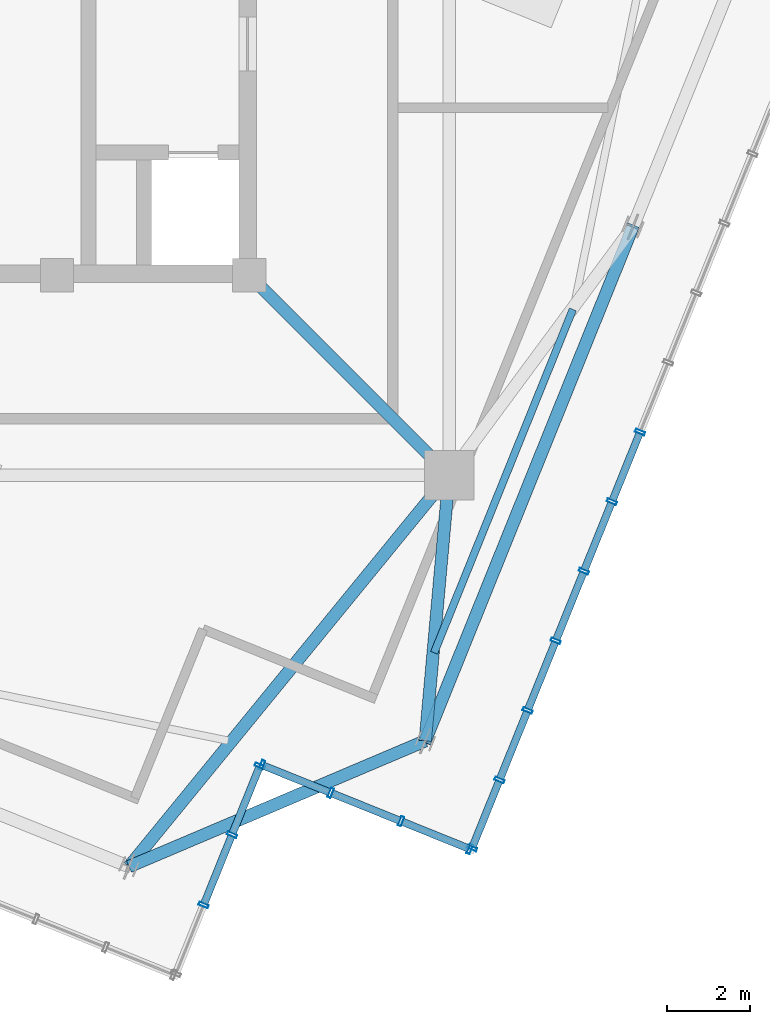
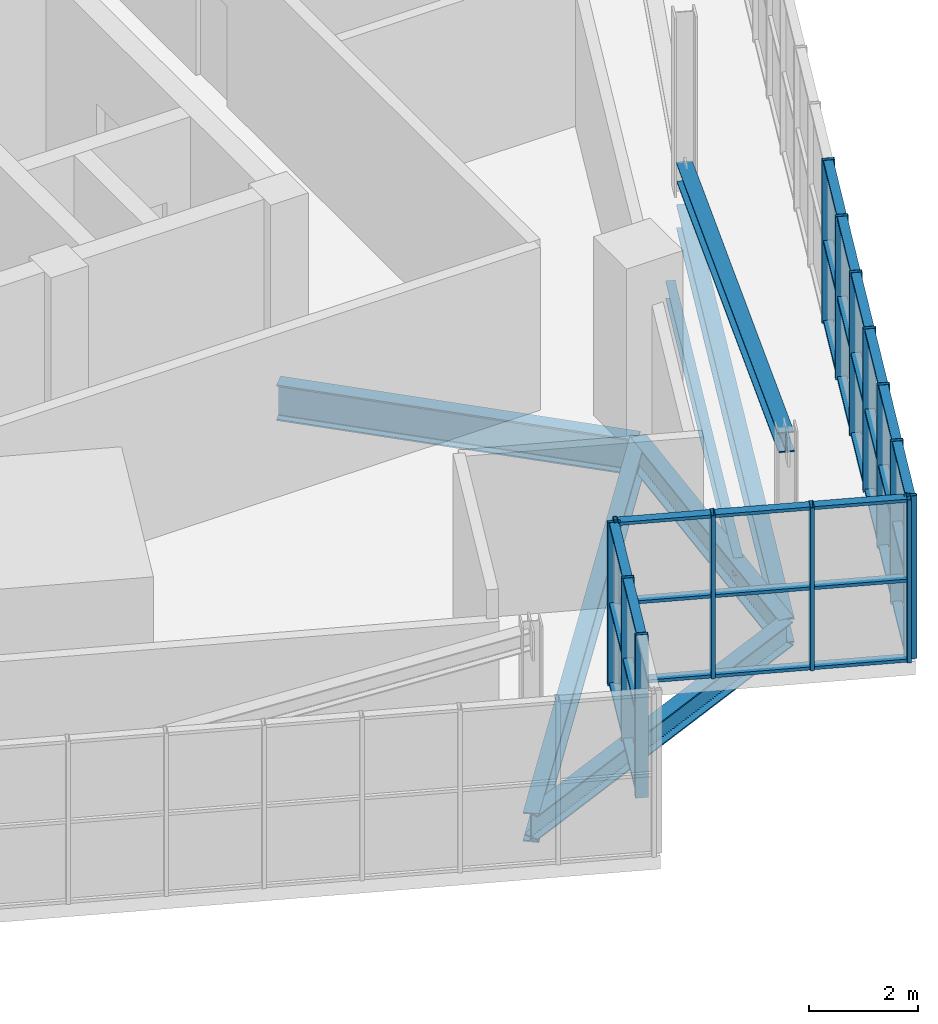
# One storey, part 8 of 26: 48 members, 6 beams, 3 elements without a shape of their own.
"""IFC4 building model written with IfcOpenShell, lengths in metres."""

from ifc_helpers import new_model, si_unit, direction, frame, origin, origin_2d, place, context, subcontext, project, spatial, hollow_rectangle, i_section, extrude, source, transform, mapped, material, layer, layer_set, material_profile, profile_set, type_object, element, aggregate, save


model = new_model("IFC4")

# Units and contexts
model_context = context("Model", 3, precision=1e-05, world=origin(), true_north=direction((0.0, 1.0)))
body_context = subcontext(model_context, "Body", "Model", "MODEL_VIEW")
ifc_project = project(units=[si_unit("LENGTHUNIT", "METRE"), si_unit("AREAUNIT", "SQUARE_METRE"), si_unit("VOLUMEUNIT", "CUBIC_METRE"), si_unit("PLANEANGLEUNIT", "RADIAN"), si_unit("MASSUNIT", "GRAM", prefix="KILO"), si_unit("THERMODYNAMICTEMPERATUREUNIT", "KELVIN")], contexts=[model_context])

# Site, building, storey
site_placement = place(None, origin())
site = spatial("IfcSite", under=ifc_project, at=site_placement, CompositionType="ELEMENT")
building_placement = place(site_placement, origin())
building = spatial("IfcBuilding", under=site, at=building_placement, Name="Kosmvard Interchange Tower", CompositionType="ELEMENT")
storey_placement = place(building_placement, frame((0.0, 0.0, 341.60009765625)))
storey = spatial("IfcBuildingStorey", under=building, at=storey_placement, Name="L84", CompositionType="ELEMENT", Elevation=341.60009765625)

# Beam
ifc_material_1 = material(Name="Steel S355", Category="steel")
ifc_material_profile_1 = material_profile(ifc_material_1, i_section(OverallWidth=0.300048828125, OverallDepth=0.800048828125, WebThickness=0.017578125, FlangeThickness=0.032958984375, FilletRadius=0.027099609375, at=origin_2d()), Name="HEB 800")
ifc_profile_set_1 = profile_set([ifc_material_profile_1], Name="Steel S355")
beam_type_1 = type_object("IfcBeamType", Name="Primary Mega-Frame Girder HEB 800 S355", PredefinedType="BEAM", material=ifc_profile_set_1)
shared_shape_1 = source(origin(), body_context, "Body", "SweptSolid", [
    extrude(i_section(OverallWidth=0.300048828125, OverallDepth=0.800048828125, WebThickness=0.017578125, FlangeThickness=0.032958984375, FilletRadius=0.027099609375, at=origin_2d()), origin(), (0.0, 0.0, 1.0), 6.83203125),
])
beam_1_placement = place(storey_placement, frame((8.25, -8.25, -0.7001953125), z_axis=(0.707106781187, -0.707106781187, 0.0), x_axis=(0.707106781187, 0.707106781187, 0.0)))
element("IfcBeam", 1, at=beam_1_placement, inside=storey, type_object=beam_type_1, Name="L84 Radial Mega-Frame Girder 2", PredefinedType="BEAM", context=body_context, shape_type="MappedRepresentation", body=[
    mapped(shared_shape_1, transform((0.0, 0.0, 0.0), scale=1.0)),
])

# Member
ifc_material_profile_2 = material_profile(ifc_material_1, i_section(OverallWidth=0.300048828125, OverallDepth=0.39990234375, WebThickness=0.013427734375, FlangeThickness=0.02392578125, FilletRadius=0.027099609375, at=origin_2d()), Name="HEB 400")
ifc_profile_set_2 = profile_set([ifc_material_profile_2], Name="Steel S355")
member_type_1 = type_object("IfcMemberType", Name="Lantern Crown Diagrid Brace HEB 400 S355", PredefinedType="BRACE", material=ifc_profile_set_2)
shared_shape_2 = source(origin(), body_context, "Body", "SweptSolid", [
    extrude(i_section(OverallWidth=0.300048828125, OverallDepth=0.39990234375, WebThickness=0.013427734375, FlangeThickness=0.02392578125, FilletRadius=0.027099609375, at=origin_2d()), origin(), (0.0, 0.0, 1.0), 13.78369140625),
])
member_1_placement = place(storey_placement, frame((17.523681640625, -7.080078125, 0.419921875), z_axis=(-0.364162635972, -0.901373372792, 0.234332279859), x_axis=(0.927189515839, -0.374592580972, 0.0)))
element("IfcMember", 2, at=member_1_placement, inside=storey, type_object=member_type_1, Name="L84 Crown Lantern Diagrid Brace S1", PredefinedType="BRACE", context=body_context, shape_type="MappedRepresentation", body=[
    mapped(shared_shape_2, transform((0.0, 0.0, 0.0), scale=1.0)),
])

# Beams
ifc_material_profile_3 = material_profile(ifc_material_1, i_section(OverallWidth=0.300048828125, OverallDepth=0.550048828125, WebThickness=0.014892578125, FlangeThickness=0.029052734375, FilletRadius=0.027099609375, at=origin_2d()), Name="HEB 550")
ifc_profile_set_3 = profile_set([ifc_material_profile_3], Name="Steel S355")
beam_type_2 = type_object("IfcBeamType", Name="Crown Ring Cap Girder HEB 550 S355", PredefinedType="BEAM", material=ifc_profile_set_3)
shared_shape_3 = source(origin(), body_context, "Body", "SweptSolid", [
    extrude(i_section(OverallWidth=0.300048828125, OverallDepth=0.550048828125, WebThickness=0.014892578125, FlangeThickness=0.029052734375, FilletRadius=0.027099609375, at=origin_2d()), origin(), (0.0, 0.0, 1.0), 13.39990234375),
])
beam_2_placement = place(storey_placement, frame((12.504150390625, -19.50439453125, -0.5751953125), z_axis=(0.374592580972, 0.927189515839, 0.0), x_axis=(-0.927189515839, 0.374592580972, 0.0)))
element("IfcBeam", 3, at=beam_2_placement, inside=storey, type_object=beam_type_2, Name="BM-L84-PR01", PredefinedType="BEAM", context=body_context, shape_type="MappedRepresentation", body=[
    mapped(shared_shape_3, transform((0.0, 0.0, 0.0), scale=1.0)),
])
ifc_material_profile_4 = material_profile(ifc_material_1, i_section(OverallWidth=0.300048828125, OverallDepth=0.64990234375, WebThickness=0.01611328125, FlangeThickness=0.031005859375, FilletRadius=0.027099609375, at=origin_2d()), Name="HEB 650")
ifc_profile_set_4 = profile_set([ifc_material_profile_4], Name="Steel S355")
beam_type_3 = type_object("IfcBeamType", Name="Primary Floor Girder HEB 650 S355", PredefinedType="BEAM", material=ifc_profile_set_4)
shared_shape_4 = source(origin(), body_context, "Body", "SweptSolid", [
    extrude(i_section(OverallWidth=0.300048828125, OverallDepth=0.64990234375, WebThickness=0.01611328125, FlangeThickness=0.031005859375, FilletRadius=0.027099609375, at=origin_2d()), origin(), (0.0, 0.0, 1.0), 6.44921875),
])
beam_3_placement = place(storey_placement, frame((13.0810546875, -13.0810546875, -0.625), z_axis=(-0.089453694068, -0.995990982197, 0.0), x_axis=(0.995990982197, -0.089453694068, 0.0)))
element("IfcBeam", 4, at=beam_3_placement, inside=storey, type_object=beam_type_3, Name="BM-L84-RD01", PredefinedType="BEAM", context=body_context, shape_type="MappedRepresentation", body=[
    mapped(shared_shape_4, transform((0.0, 0.0, 0.0), scale=1.0)),
])
shared_shape_5 = source(origin(), body_context, "Body", "SweptSolid", [
    extrude(i_section(OverallWidth=0.300048828125, OverallDepth=0.550048828125, WebThickness=0.014892578125, FlangeThickness=0.029052734375, FilletRadius=0.027099609375, at=origin_2d()), origin(), (0.0, 0.0, 1.0), 7.778076171875),
])
beam_4_placement = place(storey_placement, frame((5.34423828125, -22.54345703125, -0.5751953125), z_axis=(0.92051132134, 0.39071589075, 0.0), x_axis=(-0.39071589075, 0.92051132134, 0.0)))
element("IfcBeam", 5, at=beam_4_placement, inside=storey, type_object=beam_type_2, Name="BM-L84-PR12", PredefinedType="BEAM", context=body_context, shape_type="MappedRepresentation", body=[
    mapped(shared_shape_5, transform((0.0, 0.0, 0.0), scale=1.0)),
])
shared_shape_6 = source(origin(), body_context, "Body", "SweptSolid", [
    extrude(i_section(OverallWidth=0.300048828125, OverallDepth=0.64990234375, WebThickness=0.01611328125, FlangeThickness=0.031005859375, FilletRadius=0.027099609375, at=origin_2d()), origin(), (0.0, 0.0, 1.0), 12.22265625),
])
beam_5_placement = place(storey_placement, frame((13.0810546875, -13.0810546875, -0.625), z_axis=(-0.632985408079, -0.774163725034, 0.0), x_axis=(0.774163725034, -0.632985408079, 0.0)))
element("IfcBeam", 6, at=beam_5_placement, inside=storey, type_object=beam_type_3, Name="BM-L84-RD12", PredefinedType="BEAM", context=body_context, shape_type="MappedRepresentation", body=[
    mapped(shared_shape_6, transform((0.0, 0.0, 0.0), scale=1.0)),
])
ifc_material_profile_5 = material_profile(ifc_material_1, i_section(OverallWidth=0.179931640625, OverallDepth=0.39990234375, WebThickness=0.008544921875, FlangeThickness=0.013427734375, FilletRadius=0.02099609375, at=origin_2d()), Name="IPE 400")
ifc_profile_set_5 = profile_set([ifc_material_profile_5], Name="Steel S355")
beam_type_4 = type_object("IfcBeamType", Name="Upper-Zone Floor Joist IPE 400 S355", PredefinedType="JOIST", material=ifc_profile_set_5)
shared_shape_7 = source(origin(), body_context, "Body", "SweptSolid", [
    extrude(i_section(OverallWidth=0.179931640625, OverallDepth=0.39990234375, WebThickness=0.008544921875, FlangeThickness=0.013427734375, FilletRadius=0.02099609375, at=origin_2d()), origin(), (0.0, 0.0, 1.0), 8.9521484375),
])
beam_6_placement = place(storey_placement, frame((12.71875, -17.374755859375, -0.5), z_axis=(0.374581187736, 0.927194118723, 0.0), x_axis=(-0.927194118723, 0.374581187736, 0.0)))
element("IfcBeam", 7, at=beam_6_placement, inside=storey, type_object=beam_type_4, Name="BM-L84-FJ01", PredefinedType="JOIST", context=body_context, shape_type="MappedRepresentation", body=[
    mapped(shared_shape_7, transform((0.0, 0.0, 0.0), scale=1.0)),
])

# Curtain wall, members
ifc_material_2 = material(Name="Architectural anodised aluminium", Category="aluminium")
ifc_layer = layer(ifc_material_2, 0.25, Name="Architectural anodised aluminium")
ifc_layer_set = layer_set([ifc_layer], Name="Architectural anodised aluminium")
curtain_wall_type = type_object("IfcCurtainWallType", Name="CW-6 Illuminated Crown Lantern Curtain Wall", PredefinedType="NOTDEFINED", material=ifc_layer_set)
curtain_wall_1_placement = place(storey_placement, origin())
curtain_wall_1 = element("IfcCurtainWall", 8, at=curtain_wall_1_placement, inside=storey, type_object=curtain_wall_type, Name="L84 Crown Lantern Glazing Face 01", PredefinedType="NOTDEFINED")
ifc_material_profile_6 = material_profile(ifc_material_2, hollow_rectangle(XDim=0.179931640625, YDim=0.070068359375, WallThickness=0.0048828125, at=origin_2d()), Name="CWT 180x70x5")
ifc_profile_set_6 = profile_set([ifc_material_profile_6], Name="Architectural anodised aluminium")
member_type_2 = type_object("IfcMemberType", Name="Heavy Lantern CW Transom 180x70 Aluminium", PredefinedType="USERDEFINED", material=ifc_profile_set_6)
shared_shape_8 = source(origin(), body_context, "Body", "SweptSolid", [
    extrude(hollow_rectangle(XDim=0.179931640625, YDim=0.070068359375, WallThickness=0.0048828125, at=origin_2d()), origin(), (0.0, 0.0, 1.0), 1.694091796875),
])
member_2_placement = place(storey_placement, frame((13.650146484375, -22.059814453125, 0.034912109375), z_axis=(0.374667946298, 0.927159064032, 0.0), x_axis=(-0.927159064032, 0.374667946298, 0.0)))
member_2 = element("IfcMember", 9, at=member_2_placement, type_object=member_type_2, Name="CW-6 transom 1.1", ObjectType="TRANSOM", PredefinedType="USERDEFINED", context=body_context, shape_type="MappedRepresentation", body=[
    mapped(shared_shape_8, transform((0.0, 0.0, 0.0), scale=1.0)),
])
member_3_placement = place(storey_placement, frame((13.650146484375, -22.059814453125, 1.824951171875), z_axis=(0.374667946298, 0.927159064032, 0.0), x_axis=(-0.927159064032, 0.374667946298, 0.0)))
member_3 = element("IfcMember", 10, at=member_3_placement, type_object=member_type_2, Name="CW-6 transom 1.2", ObjectType="TRANSOM", PredefinedType="USERDEFINED", context=body_context, shape_type="MappedRepresentation", body=[
    mapped(shared_shape_8, transform((0.0, 0.0, 0.0), scale=1.0)),
])
member_4_placement = place(storey_placement, frame((13.650146484375, -22.059814453125, 3.614990234375), z_axis=(0.374667946298, 0.927159064032, 0.0), x_axis=(-0.927159064032, 0.374667946298, 0.0)))
member_4 = element("IfcMember", 11, at=member_4_placement, type_object=member_type_2, Name="CW-6 transom 1.3", ObjectType="TRANSOM", PredefinedType="USERDEFINED", context=body_context, shape_type="MappedRepresentation", body=[
    mapped(shared_shape_8, transform((0.0, 0.0, 0.0), scale=1.0)),
])
shared_shape_9 = source(origin(), body_context, "Body", "SweptSolid", [
    extrude(hollow_rectangle(XDim=0.179931640625, YDim=0.070068359375, WallThickness=0.0048828125, at=origin_2d()), origin(), (0.0, 0.0, 1.0), 1.734130859375),
])
member_5_placement = place(storey_placement, frame((14.314697265625, -20.414794921875, 0.034912109375), z_axis=(0.374616671924, 0.927179782522, 0.0), x_axis=(-0.927179782522, 0.374616671924, 0.0)))
member_5 = element("IfcMember", 12, at=member_5_placement, type_object=member_type_2, Name="CW-6 transom 2.1", ObjectType="TRANSOM", PredefinedType="USERDEFINED", context=body_context, shape_type="MappedRepresentation", body=[
    mapped(shared_shape_9, transform((0.0, 0.0, 0.0), scale=1.0)),
])
member_6_placement = place(storey_placement, frame((14.314697265625, -20.414794921875, 1.824951171875), z_axis=(0.374616671924, 0.927179782522, 0.0), x_axis=(-0.927179782522, 0.374616671924, 0.0)))
member_6 = element("IfcMember", 13, at=member_6_placement, type_object=member_type_2, Name="CW-6 transom 2.2", ObjectType="TRANSOM", PredefinedType="USERDEFINED", context=body_context, shape_type="MappedRepresentation", body=[
    mapped(shared_shape_9, transform((0.0, 0.0, 0.0), scale=1.0)),
])
member_7_placement = place(storey_placement, frame((14.314697265625, -20.414794921875, 3.614990234375), z_axis=(0.374616671924, 0.927179782522, 0.0), x_axis=(-0.927179782522, 0.374616671924, 0.0)))
member_7 = element("IfcMember", 14, at=member_7_placement, type_object=member_type_2, Name="CW-6 transom 2.3", ObjectType="TRANSOM", PredefinedType="USERDEFINED", context=body_context, shape_type="MappedRepresentation", body=[
    mapped(shared_shape_9, transform((0.0, 0.0, 0.0), scale=1.0)),
])
member_8_placement = place(storey_placement, frame((14.994384765625, -18.73291015625, 0.034912109375), z_axis=(0.374616671924, 0.927179782522, 0.0), x_axis=(-0.927179782522, 0.374616671924, 0.0)))
member_8 = element("IfcMember", 15, at=member_8_placement, type_object=member_type_2, Name="CW-6 transom 3.1", ObjectType="TRANSOM", PredefinedType="USERDEFINED", context=body_context, shape_type="MappedRepresentation", body=[
    mapped(shared_shape_9, transform((0.0, 0.0, 0.0), scale=1.0)),
])
member_9_placement = place(storey_placement, frame((14.994384765625, -18.73291015625, 1.824951171875), z_axis=(0.374616671924, 0.927179782522, 0.0), x_axis=(-0.927179782522, 0.374616671924, 0.0)))
member_9 = element("IfcMember", 16, at=member_9_placement, type_object=member_type_2, Name="CW-6 transom 3.2", ObjectType="TRANSOM", PredefinedType="USERDEFINED", context=body_context, shape_type="MappedRepresentation", body=[
    mapped(shared_shape_9, transform((0.0, 0.0, 0.0), scale=1.0)),
])
member_10_placement = place(storey_placement, frame((14.994384765625, -18.73291015625, 3.614990234375), z_axis=(0.374616671924, 0.927179782522, 0.0), x_axis=(-0.927179782522, 0.374616671924, 0.0)))
member_10 = element("IfcMember", 17, at=member_10_placement, type_object=member_type_2, Name="CW-6 transom 3.3", ObjectType="TRANSOM", PredefinedType="USERDEFINED", context=body_context, shape_type="MappedRepresentation", body=[
    mapped(shared_shape_9, transform((0.0, 0.0, 0.0), scale=1.0)),
])
member_11_placement = place(storey_placement, frame((15.674072265625, -17.05078125, 0.034912109375), z_axis=(0.374495638732, 0.927228675447, 0.0), x_axis=(-0.927228675447, 0.374495638732, 0.0)))
member_11 = element("IfcMember", 18, at=member_11_placement, type_object=member_type_2, Name="CW-6 transom 4.1", ObjectType="TRANSOM", PredefinedType="USERDEFINED", context=body_context, shape_type="MappedRepresentation", body=[
    mapped(shared_shape_9, transform((0.0, 0.0, 0.0), scale=1.0)),
])
member_12_placement = place(storey_placement, frame((15.674072265625, -17.05078125, 1.824951171875), z_axis=(0.374495638732, 0.927228675447, 0.0), x_axis=(-0.927228675447, 0.374495638732, 0.0)))
member_12 = element("IfcMember", 19, at=member_12_placement, type_object=member_type_2, Name="CW-6 transom 4.2", ObjectType="TRANSOM", PredefinedType="USERDEFINED", context=body_context, shape_type="MappedRepresentation", body=[
    mapped(shared_shape_9, transform((0.0, 0.0, 0.0), scale=1.0)),
])
member_13_placement = place(storey_placement, frame((15.674072265625, -17.05078125, 3.614990234375), z_axis=(0.374495638732, 0.927228675447, 0.0), x_axis=(-0.927228675447, 0.374495638732, 0.0)))
member_13 = element("IfcMember", 20, at=member_13_placement, type_object=member_type_2, Name="CW-6 transom 4.3", ObjectType="TRANSOM", PredefinedType="USERDEFINED", context=body_context, shape_type="MappedRepresentation", body=[
    mapped(shared_shape_9, transform((0.0, 0.0, 0.0), scale=1.0)),
])
member_14_placement = place(storey_placement, frame((16.353515625, -15.368896484375, 0.034912109375), z_axis=(0.374616671924, 0.927179782522, 0.0), x_axis=(-0.927179782522, 0.374616671924, 0.0)))
member_14 = element("IfcMember", 21, at=member_14_placement, type_object=member_type_2, Name="CW-6 transom 5.1", ObjectType="TRANSOM", PredefinedType="USERDEFINED", context=body_context, shape_type="MappedRepresentation", body=[
    mapped(shared_shape_9, transform((0.0, 0.0, 0.0), scale=1.0)),
])
member_15_placement = place(storey_placement, frame((16.353515625, -15.368896484375, 1.824951171875), z_axis=(0.374616671924, 0.927179782522, 0.0), x_axis=(-0.927179782522, 0.374616671924, 0.0)))
member_15 = element("IfcMember", 22, at=member_15_placement, type_object=member_type_2, Name="CW-6 transom 5.2", ObjectType="TRANSOM", PredefinedType="USERDEFINED", context=body_context, shape_type="MappedRepresentation", body=[
    mapped(shared_shape_9, transform((0.0, 0.0, 0.0), scale=1.0)),
])
member_16_placement = place(storey_placement, frame((16.353515625, -15.368896484375, 3.614990234375), z_axis=(0.374616671924, 0.927179782522, 0.0), x_axis=(-0.927179782522, 0.374616671924, 0.0)))
member_16 = element("IfcMember", 23, at=member_16_placement, type_object=member_type_2, Name="CW-6 transom 5.3", ObjectType="TRANSOM", PredefinedType="USERDEFINED", context=body_context, shape_type="MappedRepresentation", body=[
    mapped(shared_shape_9, transform((0.0, 0.0, 0.0), scale=1.0)),
])
member_17_placement = place(storey_placement, frame((17.033203125, -13.686767578125, 0.034912109375), z_axis=(0.374616671924, 0.927179782522, 0.0), x_axis=(-0.927179782522, 0.374616671924, 0.0)))
member_17 = element("IfcMember", 24, at=member_17_placement, type_object=member_type_2, Name="CW-6 transom 6.1", ObjectType="TRANSOM", PredefinedType="USERDEFINED", context=body_context, shape_type="MappedRepresentation", body=[
    mapped(shared_shape_9, transform((0.0, 0.0, 0.0), scale=1.0)),
])
member_18_placement = place(storey_placement, frame((17.033203125, -13.686767578125, 1.824951171875), z_axis=(0.374616671924, 0.927179782522, 0.0), x_axis=(-0.927179782522, 0.374616671924, 0.0)))
member_18 = element("IfcMember", 25, at=member_18_placement, type_object=member_type_2, Name="CW-6 transom 6.2", ObjectType="TRANSOM", PredefinedType="USERDEFINED", context=body_context, shape_type="MappedRepresentation", body=[
    mapped(shared_shape_9, transform((0.0, 0.0, 0.0), scale=1.0)),
])
member_19_placement = place(storey_placement, frame((17.033203125, -13.686767578125, 3.614990234375), z_axis=(0.374616671924, 0.927179782522, 0.0), x_axis=(-0.927179782522, 0.374616671924, 0.0)))
member_19 = element("IfcMember", 26, at=member_19_placement, type_object=member_type_2, Name="CW-6 transom 6.3", ObjectType="TRANSOM", PredefinedType="USERDEFINED", context=body_context, shape_type="MappedRepresentation", body=[
    mapped(shared_shape_9, transform((0.0, 0.0, 0.0), scale=1.0)),
])

curtain_wall_2_placement = place(storey_placement, origin())
curtain_wall_2 = element("IfcCurtainWall", 27, at=curtain_wall_2_placement, inside=storey, type_object=curtain_wall_type, Name="L84 Crown Lantern Glazing Face 11", PredefinedType="NOTDEFINED")
shared_shape_10 = source(origin(), body_context, "Body", "SweptSolid", [
    extrude(hollow_rectangle(XDim=0.179931640625, YDim=0.070068359375, WallThickness=0.0048828125, at=origin_2d()), origin(), (0.0, 0.0, 1.0), 1.71337890625),
])
member_20_placement = place(storey_placement, frame((7.848876953125, -21.736328125, 0.034912109375), z_axis=(0.374606758599, 0.927183787829, 0.0), x_axis=(-0.927183787829, 0.374606758599, 0.0)))
member_20 = element("IfcMember", 28, at=member_20_placement, type_object=member_type_2, Name="CW-6 transom 3.1", ObjectType="TRANSOM", PredefinedType="USERDEFINED", context=body_context, shape_type="MappedRepresentation", body=[
    mapped(shared_shape_10, transform((0.0, 0.0, 0.0), scale=1.0)),
])
member_21_placement = place(storey_placement, frame((7.848876953125, -21.736328125, 1.824951171875), z_axis=(0.374606758599, 0.927183787829, 0.0), x_axis=(-0.927183787829, 0.374606758599, 0.0)))
member_21 = element("IfcMember", 29, at=member_21_placement, type_object=member_type_2, Name="CW-6 transom 3.2", ObjectType="TRANSOM", PredefinedType="USERDEFINED", context=body_context, shape_type="MappedRepresentation", body=[
    mapped(shared_shape_10, transform((0.0, 0.0, 0.0), scale=1.0)),
])
member_22_placement = place(storey_placement, frame((7.848876953125, -21.736328125, 3.614990234375), z_axis=(0.374606758599, 0.927183787829, 0.0), x_axis=(-0.927183787829, 0.374606758599, 0.0)))
member_22 = element("IfcMember", 30, at=member_22_placement, type_object=member_type_2, Name="CW-6 transom 3.3", ObjectType="TRANSOM", PredefinedType="USERDEFINED", context=body_context, shape_type="MappedRepresentation", body=[
    mapped(shared_shape_10, transform((0.0, 0.0, 0.0), scale=1.0)),
])

curtain_wall_3_placement = place(storey_placement, origin())
curtain_wall_3 = element("IfcCurtainWall", 31, at=curtain_wall_3_placement, inside=storey, type_object=curtain_wall_type, Name="L84 Crown Lantern Glazing Face 12", PredefinedType="NOTDEFINED")
member_23_placement = place(storey_placement, frame((8.594970703125, -20.103515625, 0.034912109375), z_axis=(0.927183787829, -0.374606758599, 0.0), x_axis=(0.374606758599, 0.927183787829, 0.0)))
member_23 = element("IfcMember", 32, at=member_23_placement, type_object=member_type_2, Name="CW-6 transom 1.1", ObjectType="TRANSOM", PredefinedType="USERDEFINED", context=body_context, shape_type="MappedRepresentation", body=[
    mapped(shared_shape_10, transform((0.0, 0.0, 0.0), scale=1.0)),
])
member_24_placement = place(storey_placement, frame((8.594970703125, -20.103515625, 1.824951171875), z_axis=(0.927183787829, -0.374606758599, 0.0), x_axis=(0.374606758599, 0.927183787829, 0.0)))
member_24 = element("IfcMember", 33, at=member_24_placement, type_object=member_type_2, Name="CW-6 transom 1.2", ObjectType="TRANSOM", PredefinedType="USERDEFINED", context=body_context, shape_type="MappedRepresentation", body=[
    mapped(shared_shape_10, transform((0.0, 0.0, 0.0), scale=1.0)),
])
member_25_placement = place(storey_placement, frame((8.594970703125, -20.103515625, 3.614990234375), z_axis=(0.927183787829, -0.374606758599, 0.0), x_axis=(0.374606758599, 0.927183787829, 0.0)))
member_25 = element("IfcMember", 34, at=member_25_placement, type_object=member_type_2, Name="CW-6 transom 1.3", ObjectType="TRANSOM", PredefinedType="USERDEFINED", context=body_context, shape_type="MappedRepresentation", body=[
    mapped(shared_shape_10, transform((0.0, 0.0, 0.0), scale=1.0)),
])
member_26_placement = place(storey_placement, frame((11.95751953125, -21.462158203125, 0.034912109375), z_axis=(0.927183787829, -0.374606758599, 0.0), x_axis=(0.374606758599, 0.927183787829, 0.0)))
member_26 = element("IfcMember", 35, at=member_26_placement, type_object=member_type_2, Name="CW-6 transom 3.1", ObjectType="TRANSOM", PredefinedType="USERDEFINED", context=body_context, shape_type="MappedRepresentation", body=[
    mapped(shared_shape_10, transform((0.0, 0.0, 0.0), scale=1.0)),
])
member_27_placement = place(storey_placement, frame((11.95751953125, -21.462158203125, 1.824951171875), z_axis=(0.927183787829, -0.374606758599, 0.0), x_axis=(0.374606758599, 0.927183787829, 0.0)))
member_27 = element("IfcMember", 36, at=member_27_placement, type_object=member_type_2, Name="CW-6 transom 3.2", ObjectType="TRANSOM", PredefinedType="USERDEFINED", context=body_context, shape_type="MappedRepresentation", body=[
    mapped(shared_shape_10, transform((0.0, 0.0, 0.0), scale=1.0)),
])
member_28_placement = place(storey_placement, frame((11.95751953125, -21.462158203125, 3.614990234375), z_axis=(0.927183787829, -0.374606758599, 0.0), x_axis=(0.374606758599, 0.927183787829, 0.0)))
member_28 = element("IfcMember", 37, at=member_28_placement, type_object=member_type_2, Name="CW-6 transom 3.3", ObjectType="TRANSOM", PredefinedType="USERDEFINED", context=body_context, shape_type="MappedRepresentation", body=[
    mapped(shared_shape_10, transform((0.0, 0.0, 0.0), scale=1.0)),
])

# Member
shared_shape_11 = source(origin(), body_context, "Body", "SweptSolid", [
    extrude(hollow_rectangle(XDim=0.179931640625, YDim=0.070068359375, WallThickness=0.0048828125, at=origin_2d()), origin(), (0.0, 0.0, 1.0), 1.75341796875),
])
member_29_placement = place(storey_placement, frame((7.162109375, -23.436279296875, 0.034912109375), z_axis=(0.374677135907, 0.927155350429, 0.0), x_axis=(-0.927155350429, 0.374677135907, 0.0)))
member_29 = element("IfcMember", 38, at=member_29_placement, type_object=member_type_2, Name="CW-6 transom 2.1", ObjectType="TRANSOM", PredefinedType="USERDEFINED", context=body_context, shape_type="MappedRepresentation", body=[
    mapped(shared_shape_11, transform((0.0, 0.0, 0.0), scale=1.0)),
])

member_30_placement = place(storey_placement, frame((7.162109375, -23.436279296875, 1.824951171875), z_axis=(0.374677135907, 0.927155350429, 0.0), x_axis=(-0.927155350429, 0.374677135907, 0.0)))
member_30 = element("IfcMember", 39, at=member_30_placement, type_object=member_type_2, Name="CW-6 transom 2.2", ObjectType="TRANSOM", PredefinedType="USERDEFINED", context=body_context, shape_type="MappedRepresentation", body=[
    mapped(shared_shape_11, transform((0.0, 0.0, 0.0), scale=1.0)),
])

member_31_placement = place(storey_placement, frame((7.162109375, -23.436279296875, 3.614990234375), z_axis=(0.374677135907, 0.927155350429, 0.0), x_axis=(-0.927155350429, 0.374677135907, 0.0)))
member_31 = element("IfcMember", 40, at=member_31_placement, type_object=member_type_2, Name="CW-6 transom 2.3", ObjectType="TRANSOM", PredefinedType="USERDEFINED", context=body_context, shape_type="MappedRepresentation", body=[
    mapped(shared_shape_11, transform((0.0, 0.0, 0.0), scale=1.0)),
])

member_32_placement = place(storey_placement, frame((10.257568359375, -20.775390625, 0.034912109375), z_axis=(0.927203712676, -0.37455743912, 0.0), x_axis=(0.37455743912, 0.927203712676, 0.0)))
member_32 = element("IfcMember", 41, at=member_32_placement, type_object=member_type_2, Name="CW-6 transom 2.1", ObjectType="TRANSOM", PredefinedType="USERDEFINED", context=body_context, shape_type="MappedRepresentation", body=[
    mapped(shared_shape_11, transform((0.0, 0.0, 0.0), scale=1.0)),
])

member_33_placement = place(storey_placement, frame((10.257568359375, -20.775390625, 1.824951171875), z_axis=(0.927203712676, -0.37455743912, 0.0), x_axis=(0.37455743912, 0.927203712676, 0.0)))
member_33 = element("IfcMember", 42, at=member_33_placement, type_object=member_type_2, Name="CW-6 transom 2.2", ObjectType="TRANSOM", PredefinedType="USERDEFINED", context=body_context, shape_type="MappedRepresentation", body=[
    mapped(shared_shape_11, transform((0.0, 0.0, 0.0), scale=1.0)),
])

member_34_placement = place(storey_placement, frame((10.257568359375, -20.775390625, 3.614990234375), z_axis=(0.927203712676, -0.37455743912, 0.0), x_axis=(0.37455743912, 0.927203712676, 0.0)))
member_34 = element("IfcMember", 43, at=member_34_placement, type_object=member_type_2, Name="CW-6 transom 2.3", ObjectType="TRANSOM", PredefinedType="USERDEFINED", context=body_context, shape_type="MappedRepresentation", body=[
    mapped(shared_shape_11, transform((0.0, 0.0, 0.0), scale=1.0)),
])

ifc_material_profile_7 = material_profile(ifc_material_2, hollow_rectangle(XDim=0.239990234375, YDim=0.080078125, WallThickness=0.006103515625, at=origin_2d()), Name="CWM 240x80x6")
ifc_profile_set_7 = profile_set([ifc_material_profile_7], Name="Architectural anodised aluminium")
member_type_3 = type_object("IfcMemberType", Name="Lantern & Observation CW Mullion 240x80 Aluminium", PredefinedType="MULLION", material=ifc_profile_set_7)
shared_shape_12 = source(origin(), body_context, "Body", "SweptSolid", [
    extrude(hollow_rectangle(XDim=0.239990234375, YDim=0.080078125, WallThickness=0.006103515625, at=origin_2d()), origin(), (0.0, 0.0, 1.0), 3.64990234375),
])
member_35_placement = place(storey_placement, frame((13.63525390625, -22.096923828125, 0.0), z_axis=(0.0, 0.0, 1.0), x_axis=(-0.927183858065, 0.374606584758, 0.0)))
member_35 = element("IfcMember", 44, at=member_35_placement, type_object=member_type_3, Name="CW-6 mullion 1", PredefinedType="MULLION", context=body_context, shape_type="MappedRepresentation", body=[
    mapped(shared_shape_12, transform((0.0, 0.0, 0.0), scale=1.0)),
])

member_36_placement = place(storey_placement, frame((14.2998046875, -20.451904296875, 0.0), z_axis=(0.0, 0.0, 1.0), x_axis=(-0.927183858065, 0.374606584758, 0.0)))
member_36 = element("IfcMember", 45, at=member_36_placement, type_object=member_type_3, Name="CW-6 mullion 2", PredefinedType="MULLION", context=body_context, shape_type="MappedRepresentation", body=[
    mapped(shared_shape_12, transform((0.0, 0.0, 0.0), scale=1.0)),
])

member_37_placement = place(storey_placement, frame((14.9794921875, -18.77001953125, 0.0), z_axis=(0.0, 0.0, 1.0), x_axis=(-0.927183858065, 0.374606584758, 0.0)))
member_37 = element("IfcMember", 46, at=member_37_placement, type_object=member_type_3, Name="CW-6 mullion 3", PredefinedType="MULLION", context=body_context, shape_type="MappedRepresentation", body=[
    mapped(shared_shape_12, transform((0.0, 0.0, 0.0), scale=1.0)),
])

member_38_placement = place(storey_placement, frame((15.658935546875, -17.087890625, 0.0), z_axis=(0.0, 0.0, 1.0), x_axis=(-0.927183858065, 0.374606584758, 0.0)))
member_38 = element("IfcMember", 47, at=member_38_placement, type_object=member_type_3, Name="CW-6 mullion 4", PredefinedType="MULLION", context=body_context, shape_type="MappedRepresentation", body=[
    mapped(shared_shape_12, transform((0.0, 0.0, 0.0), scale=1.0)),
])

member_39_placement = place(storey_placement, frame((16.338623046875, -15.40576171875, 0.0), z_axis=(0.0, 0.0, 1.0), x_axis=(-0.927183858065, 0.374606584758, 0.0)))
member_39 = element("IfcMember", 48, at=member_39_placement, type_object=member_type_3, Name="CW-6 mullion 5", PredefinedType="MULLION", context=body_context, shape_type="MappedRepresentation", body=[
    mapped(shared_shape_12, transform((0.0, 0.0, 0.0), scale=1.0)),
])

member_40_placement = place(storey_placement, frame((17.01806640625, -13.723876953125, 0.0), z_axis=(0.0, 0.0, 1.0), x_axis=(-0.927183858065, 0.374606584758, 0.0)))
member_40 = element("IfcMember", 49, at=member_40_placement, type_object=member_type_3, Name="CW-6 mullion 6", PredefinedType="MULLION", context=body_context, shape_type="MappedRepresentation", body=[
    mapped(shared_shape_12, transform((0.0, 0.0, 0.0), scale=1.0)),
])

member_41_placement = place(storey_placement, frame((17.69775390625, -12.041748046875, 0.0), z_axis=(0.0, 0.0, 1.0), x_axis=(-0.927183858065, 0.374606584758, 0.0)))
member_41 = element("IfcMember", 50, at=member_41_placement, type_object=member_type_3, Name="CW-6 mullion 7", PredefinedType="MULLION", context=body_context, shape_type="MappedRepresentation", body=[
    mapped(shared_shape_12, transform((0.0, 0.0, 0.0), scale=1.0)),
])

aggregate(curtain_wall_1, [member_35, member_36, member_37, member_38, member_39, member_40, member_41, member_2, member_3, member_4, member_5, member_6, member_7, member_8, member_9, member_10, member_11, member_12, member_13, member_14, member_15, member_16, member_17, member_18, member_19])

member_42_placement = place(storey_placement, frame((7.147216796875, -23.473388671875, 0.0), z_axis=(0.0, 0.0, 1.0), x_axis=(-0.92718386612, 0.374606564822, 0.0)))
member_42 = element("IfcMember", 51, at=member_42_placement, type_object=member_type_3, Name="CW-6 mullion 2", PredefinedType="MULLION", context=body_context, shape_type="MappedRepresentation", body=[
    mapped(shared_shape_12, transform((0.0, 0.0, 0.0), scale=1.0)),
])

member_43_placement = place(storey_placement, frame((7.833984375, -21.7734375, 0.0), z_axis=(0.0, 0.0, 1.0), x_axis=(-0.92718386612, 0.374606564822, 0.0)))
member_43 = element("IfcMember", 52, at=member_43_placement, type_object=member_type_3, Name="CW-6 mullion 3", PredefinedType="MULLION", context=body_context, shape_type="MappedRepresentation", body=[
    mapped(shared_shape_12, transform((0.0, 0.0, 0.0), scale=1.0)),
])

member_44_placement = place(storey_placement, frame((8.505859375, -20.110595703125, 0.0), z_axis=(0.0, 0.0, 1.0), x_axis=(-0.92718386612, 0.374606564822, 0.0)))
member_44 = element("IfcMember", 53, at=member_44_placement, type_object=member_type_3, Name="CW-6 mullion 4", PredefinedType="MULLION", context=body_context, shape_type="MappedRepresentation", body=[
    mapped(shared_shape_12, transform((0.0, 0.0, 0.0), scale=1.0)),
])

aggregate(curtain_wall_2, [member_42, member_43, member_44, member_29, member_30, member_31, member_20, member_21, member_22])

member_45_placement = place(storey_placement, frame((8.557861328125, -20.088623046875, 0.0), z_axis=(0.0, 0.0, 1.0), x_axis=(0.374606501678, 0.927183891631, 0.0)))
member_45 = element("IfcMember", 54, at=member_45_placement, type_object=member_type_3, Name="CW-6 mullion 1", PredefinedType="MULLION", context=body_context, shape_type="MappedRepresentation", body=[
    mapped(shared_shape_12, transform((0.0, 0.0, 0.0), scale=1.0)),
])

member_46_placement = place(storey_placement, frame((10.220458984375, -20.760498046875, 0.0), z_axis=(0.0, 0.0, 1.0), x_axis=(0.374606501678, 0.927183891631, 0.0)))
member_46 = element("IfcMember", 55, at=member_46_placement, type_object=member_type_3, Name="CW-6 mullion 2", PredefinedType="MULLION", context=body_context, shape_type="MappedRepresentation", body=[
    mapped(shared_shape_12, transform((0.0, 0.0, 0.0), scale=1.0)),
])

member_47_placement = place(storey_placement, frame((11.92041015625, -21.447265625, 0.0), z_axis=(0.0, 0.0, 1.0), x_axis=(0.374606501678, 0.927183891631, 0.0)))
member_47 = element("IfcMember", 56, at=member_47_placement, type_object=member_type_3, Name="CW-6 mullion 3", PredefinedType="MULLION", context=body_context, shape_type="MappedRepresentation", body=[
    mapped(shared_shape_12, transform((0.0, 0.0, 0.0), scale=1.0)),
])

member_48_placement = place(storey_placement, frame((13.583251953125, -22.118896484375, 0.0), z_axis=(0.0, 0.0, 1.0), x_axis=(0.374606501678, 0.927183891631, 0.0)))
member_48 = element("IfcMember", 57, at=member_48_placement, type_object=member_type_3, Name="CW-6 mullion 4", PredefinedType="MULLION", context=body_context, shape_type="MappedRepresentation", body=[
    mapped(shared_shape_12, transform((0.0, 0.0, 0.0), scale=1.0)),
])

aggregate(curtain_wall_3, [member_45, member_46, member_47, member_48, member_23, member_24, member_25, member_32, member_33, member_34, member_26, member_27, member_28])

save(model, "model.ifc")
